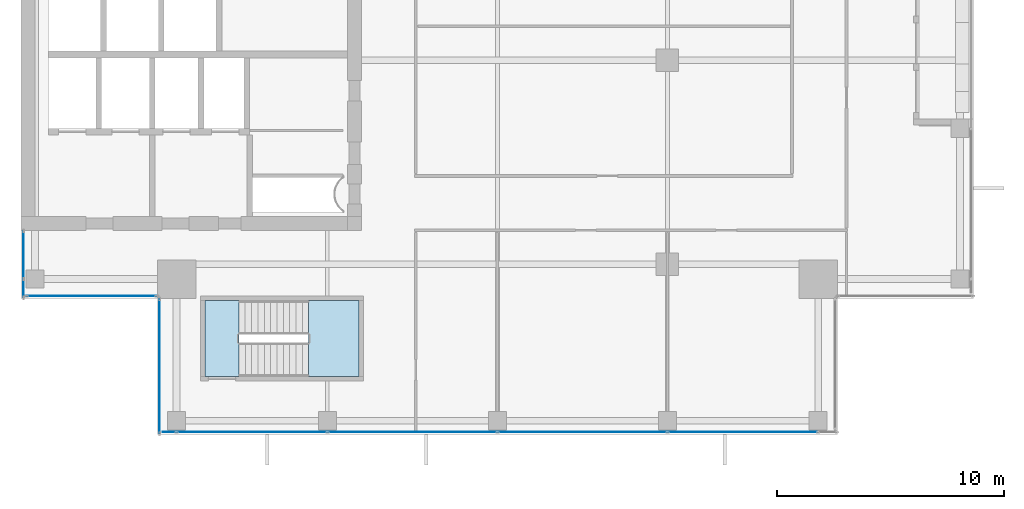
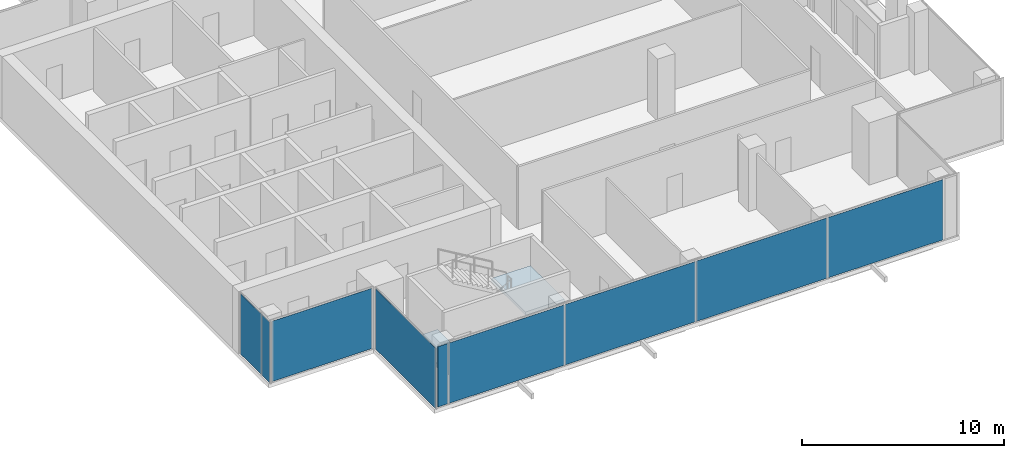
# One storey, part 19 of 29: 9 plates, 2 slabs, 5 elements without a shape of their own.
"""IFC4 building model written with IfcOpenShell, lengths in metres."""

from ifc_helpers import new_model, si_unit, direction, frame, origin, origin_2d, place, context, subcontext, project, spatial, polyline, rectangle, outline, extrude, source, transform, mapped, material, layer, layer_set, type_object, element, aggregate, save


model = new_model("IFC4")

# Units and contexts
model_context = context("Model", 3, precision=1e-05, world=origin(), true_north=direction((0.0, 1.0)))
body_context = subcontext(model_context, "Body", "Model", "MODEL_VIEW")
ifc_project = project(units=[si_unit("LENGTHUNIT", "METRE"), si_unit("AREAUNIT", "SQUARE_METRE"), si_unit("VOLUMEUNIT", "CUBIC_METRE"), si_unit("PLANEANGLEUNIT", "RADIAN"), si_unit("MASSUNIT", "GRAM", prefix="KILO")], contexts=[model_context])

# Site, building, storey
site_placement = place(None, origin())
site = spatial("IfcSite", under=ifc_project, at=site_placement, CompositionType="ELEMENT")
building_placement = place(site_placement, origin())
building = spatial("IfcBuilding", under=site, at=building_placement, Name="Khomas Fold Tower", CompositionType="ELEMENT")
storey_placement = place(building_placement, frame((0.0, 0.0, 290.199951171875)))
storey = spatial("IfcBuildingStorey", under=building, at=storey_placement, Name="L65", CompositionType="ELEMENT", Elevation=290.199951171875)

# Curtain wall, plates
ifc_material_1 = material(Name="Aluminium framed double glazing", Category="aluminium")
curtain_wall_type = type_object("IfcCurtainWallType", Name="SK-Unitised clear-glass wall, upper floors CW3", PredefinedType="NOTDEFINED", material=ifc_material_1)
curtain_wall_1_placement = place(storey_placement, origin())
curtain_wall_1 = element("IfcCurtainWall", 1, at=curtain_wall_1_placement, inside=storey, type_object=curtain_wall_type, Name="CW3 run L65 00-0", PredefinedType="NOTDEFINED")
ifc_material_2 = material(Name="Clear double glazed unit")
ifc_layer_1 = layer(ifc_material_2, 0.028076171875)
ifc_layer_set_1 = layer_set([ifc_layer_1], Name="Clear double glazed unit")
plate_type = type_object("IfcPlateType", Name="SK-Unitised clear-glass wall, upper floors glass panel CW3-P", PredefinedType="CURTAIN_PANEL", material=ifc_layer_set_1)
shared_shape_1 = source(origin(), body_context, "Body", "SweptSolid", [
    extrude(rectangle(XDim=0.574951171875, YDim=0.028076171875, at=origin_2d()), origin(), (0.0, 0.0, 1.0), 3.64990234375),
])
plate_1_placement = place(storey_placement, frame((12.53759765625, 6.10009765625, 0.0), z_axis=(0.0, 0.0, 1.0), x_axis=(1.0, 0.0, 0.0)))
plate_1 = element("IfcPlate", 2, at=plate_1_placement, type_object=plate_type, Name="CW3 glass panel 1", PredefinedType="CURTAIN_PANEL", context=body_context, shape_type="MappedRepresentation", body=[
    mapped(shared_shape_1, transform((0.0, 0.0, 0.0))),
])
shared_shape_2 = source(origin(), body_context, "Body", "SweptSolid", [
    extrude(rectangle(XDim=6.60009765625, YDim=0.028076171875, at=origin_2d()), origin(), (0.0, 0.0, 1.0), 3.64990234375),
])
plate_2_placement = place(storey_placement, frame((16.175048828125, 6.10009765625, 0.0), z_axis=(0.0, 0.0, 1.0), x_axis=(1.0, 0.0, 0.0)))
plate_2 = element("IfcPlate", 3, at=plate_2_placement, type_object=plate_type, Name="CW3 glass panel 2", PredefinedType="CURTAIN_PANEL", context=body_context, shape_type="MappedRepresentation", body=[
    mapped(shared_shape_2, transform((0.0, 0.0, 0.0))),
])
plate_3_placement = place(storey_placement, frame((37.824951171875, 6.10009765625, 0.0), z_axis=(0.0, 0.0, 1.0), x_axis=(1.0, 0.0, 0.0)))
plate_3 = element("IfcPlate", 4, at=plate_3_placement, type_object=plate_type, Name="CW3 glass panel 5", PredefinedType="CURTAIN_PANEL", context=body_context, shape_type="MappedRepresentation", body=[
    mapped(shared_shape_2, transform((0.0, 0.0, 0.0))),
])
shared_shape_3 = source(origin(), body_context, "Body", "SweptSolid", [
    extrude(rectangle(XDim=7.449951171875, YDim=0.028076171875, at=origin_2d()), origin(), (0.0, 0.0, 1.0), 3.64990234375),
])
plate_4_placement = place(storey_placement, frame((23.25, 6.10009765625, 0.0), z_axis=(0.0, 0.0, 1.0), x_axis=(1.0, 0.0, 0.0)))
plate_4 = element("IfcPlate", 5, at=plate_4_placement, type_object=plate_type, Name="CW3 glass panel 3", PredefinedType="CURTAIN_PANEL", context=body_context, shape_type="MappedRepresentation", body=[
    mapped(shared_shape_3, transform((0.0, 0.0, 0.0))),
])
plate_5_placement = place(storey_placement, frame((30.75, 6.10009765625, 0.0), z_axis=(0.0, 0.0, 1.0), x_axis=(1.0, 0.0, 0.0)))
plate_5 = element("IfcPlate", 6, at=plate_5_placement, type_object=plate_type, Name="CW3 glass panel 4", PredefinedType="CURTAIN_PANEL", context=body_context, shape_type="MappedRepresentation", body=[
    mapped(shared_shape_3, transform((0.0, 0.0, 0.0))),
])
aggregate(curtain_wall_1, [plate_1, plate_2, plate_4, plate_5, plate_3])

# Curtain wall, plate
curtain_wall_2_placement = place(storey_placement, origin())
curtain_wall_2 = element("IfcCurtainWall", 7, at=curtain_wall_2_placement, inside=storey, type_object=curtain_wall_type, Name="CW3 run L65 09-1", PredefinedType="NOTDEFINED")
shared_shape_4 = source(origin(), body_context, "Body", "SweptSolid", [
    extrude(rectangle(XDim=0.77490234375, YDim=0.028076171875, at=origin_2d()), origin(), (0.0, 0.0, 1.0), 3.64990234375),
])
plate_6_placement = place(storey_placement, frame((6.10009765625, 12.4375, 0.0), z_axis=(0.0, 0.0, 1.0), x_axis=(0.0, -1.0, 0.0)))
plate_6 = element("IfcPlate", 8, at=plate_6_placement, type_object=plate_type, Name="CW3 glass panel 2", PredefinedType="CURTAIN_PANEL", context=body_context, shape_type="MappedRepresentation", body=[
    mapped(shared_shape_4, transform((0.0, 0.0, 0.0))),
])

curtain_wall_3_placement = place(storey_placement, origin())
curtain_wall_3 = element("IfcCurtainWall", 9, at=curtain_wall_3_placement, inside=storey, type_object=curtain_wall_type, Name="CW3 corner return L65 10", PredefinedType="NOTDEFINED")
shared_shape_5 = source(origin(), body_context, "Body", "SweptSolid", [
    extrude(rectangle(XDim=5.699951171875, YDim=0.028076171875, at=origin_2d()), origin(), (0.0, 0.0, 1.0), 3.64990234375),
])
plate_7_placement = place(storey_placement, frame((9.10009765625, 12.10009765625, 0.0), z_axis=(0.0, 0.0, 1.0), x_axis=(1.0, 0.0, 0.0)))
plate_7 = element("IfcPlate", 10, at=plate_7_placement, type_object=plate_type, Name="CW3 glass panel 1", PredefinedType="CURTAIN_PANEL", context=body_context, shape_type="MappedRepresentation", body=[
    mapped(shared_shape_5, transform((0.0, 0.0, 0.0))),
])
aggregate(curtain_wall_3, [plate_7])

curtain_wall_4_placement = place(storey_placement, origin())
curtain_wall_4 = element("IfcCurtainWall", 11, at=curtain_wall_4_placement, inside=storey, type_object=curtain_wall_type, Name="CW3 corner return L65 11", PredefinedType="NOTDEFINED")
shared_shape_6 = source(origin(), body_context, "Body", "SweptSolid", [
    extrude(rectangle(XDim=5.89990234375, YDim=0.028076171875, at=origin_2d()), origin(), (0.0, 0.0, 1.0), 3.64990234375),
])
plate_8_placement = place(storey_placement, frame((12.10009765625, 9.0, 0.0), z_axis=(0.0, 0.0, 1.0), x_axis=(0.0, -1.0, 0.0)))
plate_8 = element("IfcPlate", 12, at=plate_8_placement, type_object=plate_type, Name="CW3 glass panel 1", PredefinedType="CURTAIN_PANEL", context=body_context, shape_type="MappedRepresentation", body=[
    mapped(shared_shape_6, transform((0.0, 0.0, 0.0))),
])
aggregate(curtain_wall_4, [plate_8])

# Plate
shared_shape_7 = source(origin(), body_context, "Body", "SweptSolid", [
    extrude(rectangle(XDim=2.074951171875, YDim=0.028076171875, at=origin_2d()), origin(), (0.0, 0.0, 1.0), 3.64990234375),
])
plate_9_placement = place(storey_placement, frame((6.10009765625, 13.91259765625, 0.0), z_axis=(0.0, 0.0, 1.0), x_axis=(0.0, -1.0, 0.0)))
plate_9 = element("IfcPlate", 13, at=plate_9_placement, type_object=plate_type, Name="CW3 glass panel 1", PredefinedType="CURTAIN_PANEL", context=body_context, shape_type="MappedRepresentation", body=[
    mapped(shared_shape_7, transform((0.0, 0.0, 0.0))),
])

aggregate(curtain_wall_2, [plate_9, plate_6])

# Stair, slab
ifc_material_3 = material(Name="Concrete C40/50", Category="concrete")
stair_type = type_object("IfcStairType", Name="Stair ST2", PredefinedType="HALF_TURN_STAIR", material=ifc_material_3)
stair_placement = place(storey_placement, origin())
stair = element("IfcStair", 14, at=stair_placement, inside=storey, type_object=stair_type, Name="L65 ST2", PredefinedType="HALF_TURN_STAIR")
ifc_material_4 = material(Name="Concrete C40/50", Category="concrete")
ifc_layer_2 = layer(ifc_material_4, 0.199951171875)
ifc_layer_set_2 = layer_set([ifc_layer_2], Name="Concrete C40/50")
slab_type_1 = type_object("IfcSlabType", Name="Stair landing 200", PredefinedType="LANDING", material=ifc_layer_set_2)
shared_shape_8 = source(origin(), body_context, "Body", "SweptSolid", [
    extrude(outline(polyline([(18.679931640625, 8.550048828125), (20.89990234375, 8.550048828125), (20.89990234375, 11.89990234375), (18.679931640625, 11.89990234375), (18.679931640625, 8.550048828125)])), origin(), (0.0, 0.0, 1.0), 0.199951171875),
])
slab_1_placement = place(storey_placement, frame((0.0, 0.0, 1.800048828125)))
slab_1 = element("IfcSlab", 15, at=slab_1_placement, type_object=slab_type_1, Name="ST2 landing 1", PredefinedType="LANDING", context=body_context, shape_type="MappedRepresentation", body=[
    mapped(shared_shape_8, transform((0.0, 0.0, 0.0))),
])
aggregate(stair, [slab_1])

# Slab
ifc_material_5 = material(Name="Concrete C40/50", Category="concrete")
ifc_layer_3 = layer(ifc_material_5, 0.25)
ifc_layer_set_3 = layer_set([ifc_layer_3], Name="Concrete C40/50")
slab_type_2 = type_object("IfcSlabType", Name="Stair floor landing 250", PredefinedType="LANDING", material=ifc_layer_set_3)
shared_shape_9 = source(origin(), body_context, "Body", "SweptSolid", [
    extrude(outline(polyline([(15.60009765625, 8.550048828125), (14.10009765625, 8.550048828125), (14.10009765625, 11.89990234375), (15.60009765625, 11.89990234375), (15.60009765625, 8.550048828125)])), origin(), (0.0, 0.0, 1.0), 0.25),
])
slab_2_placement = place(storey_placement, frame((0.0, 0.0, -0.25)))
element("IfcSlab", 16, at=slab_2_placement, inside=storey, type_object=slab_type_2, Name="ST2 floor landing", PredefinedType="LANDING", context=body_context, shape_type="MappedRepresentation", body=[
    mapped(shared_shape_9, transform((0.0, 0.0, 0.0))),
])

save(model, "model.ifc")
